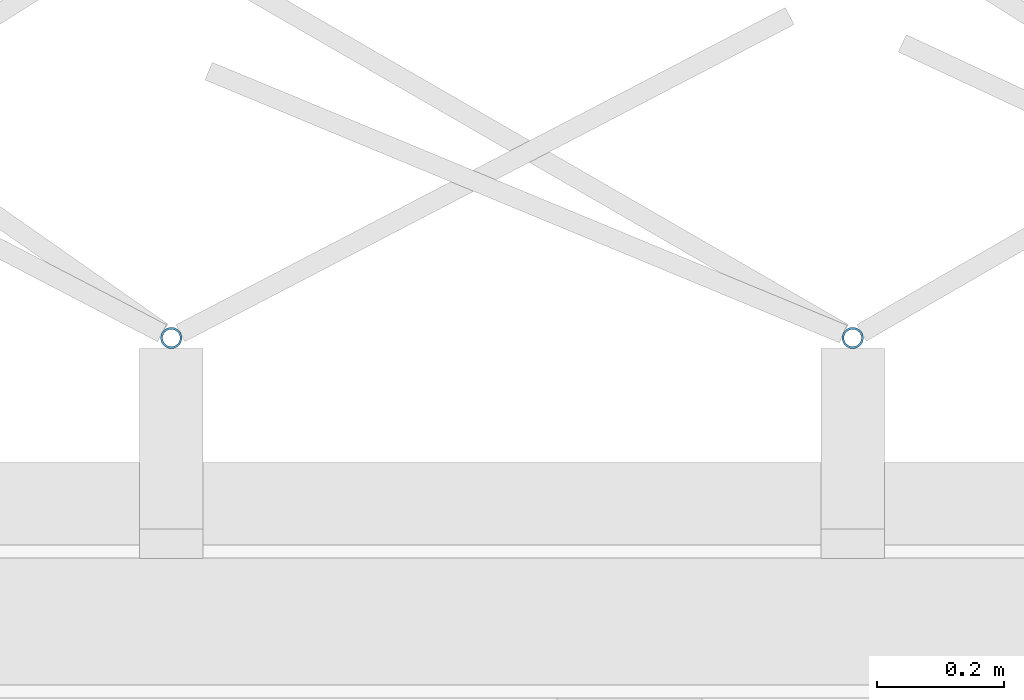
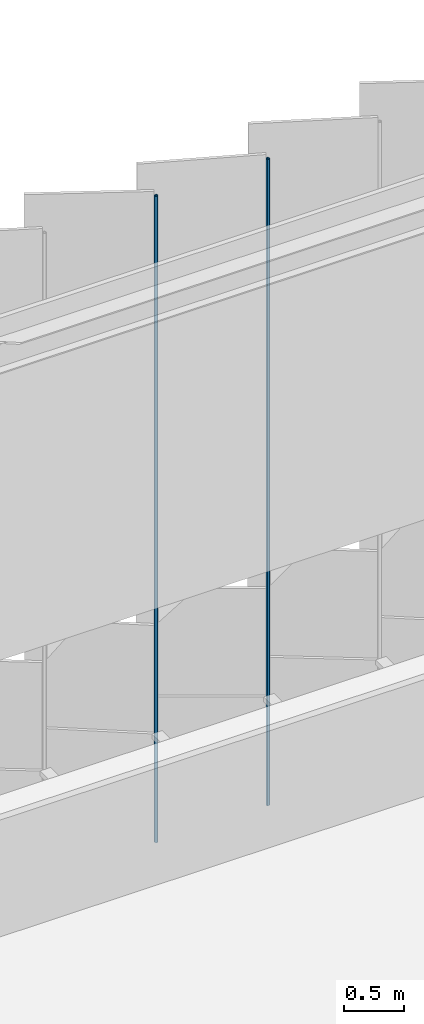
# One storey, part 347 of 483: 2 discrete accessories.
"""IFC4 building model written with IfcOpenShell, lengths in metres."""

from ifc_helpers import new_model, si_unit, direction, frame, origin, origin_2d, place, context, subcontext, project, spatial, hollow_circle, extrude, material, material_profile, profile_set, type_object, element, save


model = new_model("IFC4")

# Units and contexts
model_context = context("Model", 3, precision=1e-05, world=origin(), true_north=direction((0.0, 1.0)))
body_context = subcontext(model_context, "Body", "Model", "MODEL_VIEW")
ifc_project = project(units=[si_unit("LENGTHUNIT", "METRE"), si_unit("AREAUNIT", "SQUARE_METRE"), si_unit("VOLUMEUNIT", "CUBIC_METRE"), si_unit("PLANEANGLEUNIT", "RADIAN"), si_unit("MASSUNIT", "GRAM", prefix="KILO")], contexts=[model_context])

# Site, building, storey
site_placement = place(None, origin())
site = spatial("IfcSite", under=ifc_project, at=site_placement, CompositionType="ELEMENT")
building_placement = place(site_placement, origin())
building = spatial("IfcBuilding", under=site, at=building_placement, Name="Parallax Yard Mobility Hub", CompositionType="ELEMENT")
storey_placement = place(building_placement, frame((0.0, 0.0, 13.199951171875)))
storey = spatial("IfcBuildingStorey", under=building, at=storey_placement, Name="L04", CompositionType="ELEMENT", Elevation=13.199951171875)

# Discrete accessories
ifc_material = material(Name="Steel ASTM A500 Gr C, hot-dip galvanised", Category="steel")
ifc_material_profile = material_profile(ifc_material, hollow_circle(Radius=0.016845703125, WallThickness=0.003173828125, at=origin_2d()), Name="CHS 33.7x3.2")
ifc_profile_set = profile_set([ifc_material_profile], Name="Steel ASTM A500 Gr C, hot-dip galvanised")
discrete_accessory_type = type_object("IfcDiscreteAccessoryType", Name="Hinge post CHS 33.7x3.2", PredefinedType="BRACKET", material=ifc_profile_set)
for number, where, z_axis, x_axis, name in (
    (1, (102.850830078125, 142.800048828125, 0.0), (0.0, 0.0, 1.0), (1.0, 0.0, 0.0), "Hinge post bay 60.3 level L04"),
    (2, (101.779296875, 142.800048828125, 0.0), (0.0, 0.0, 1.0), (1.0, 0.0, 0.0), "Hinge post bay 60.4 level L04"),
):
    element("IfcDiscreteAccessory", number, at=place(storey_placement, frame(where, z_axis=z_axis, x_axis=x_axis)), inside=storey, type_object=discrete_accessory_type, Name=name, PredefinedType="BRACKET", context=body_context, shape_type="SweptSolid", body=[
        extrude(hollow_circle(Radius=0.016845703125, WallThickness=0.003173828125, at=origin_2d()), origin(), (0.0, 0.0, 1.0), 6.550048828125),
    ])

save(model, "model.ifc")
